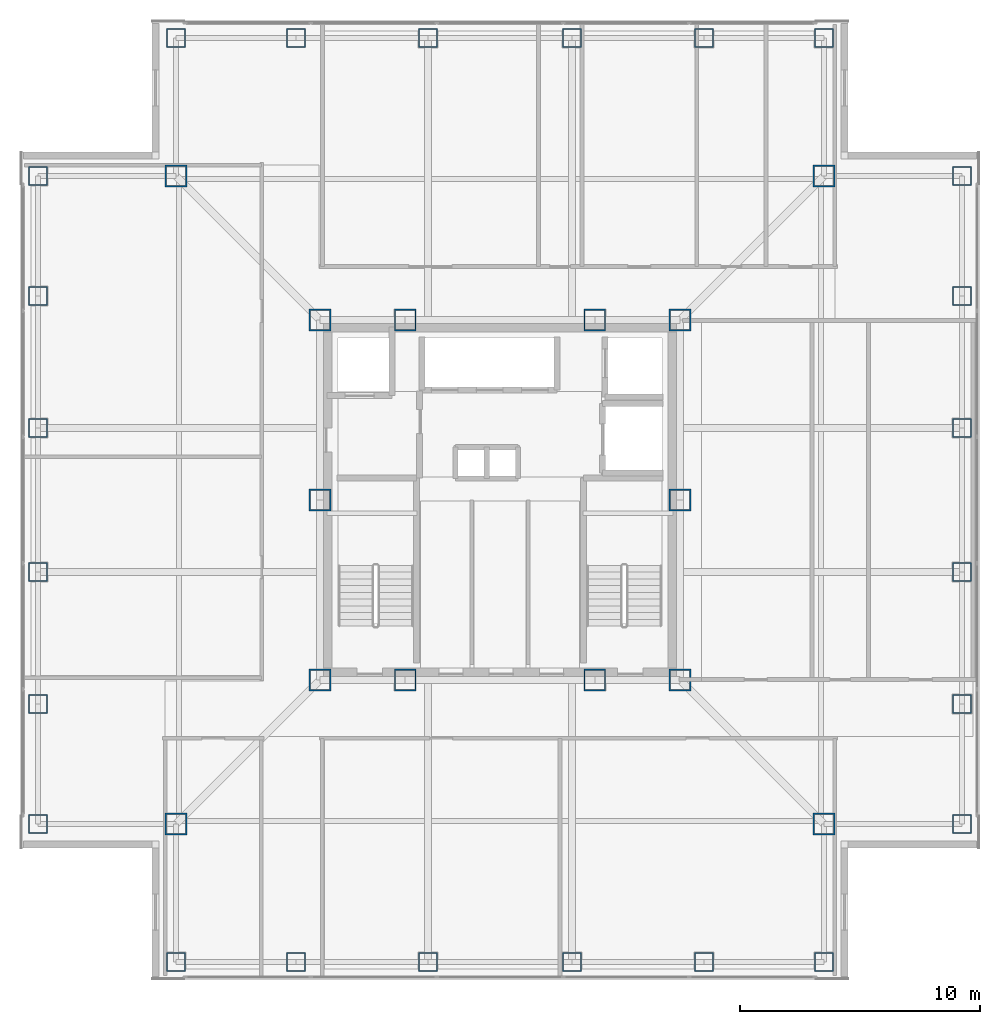
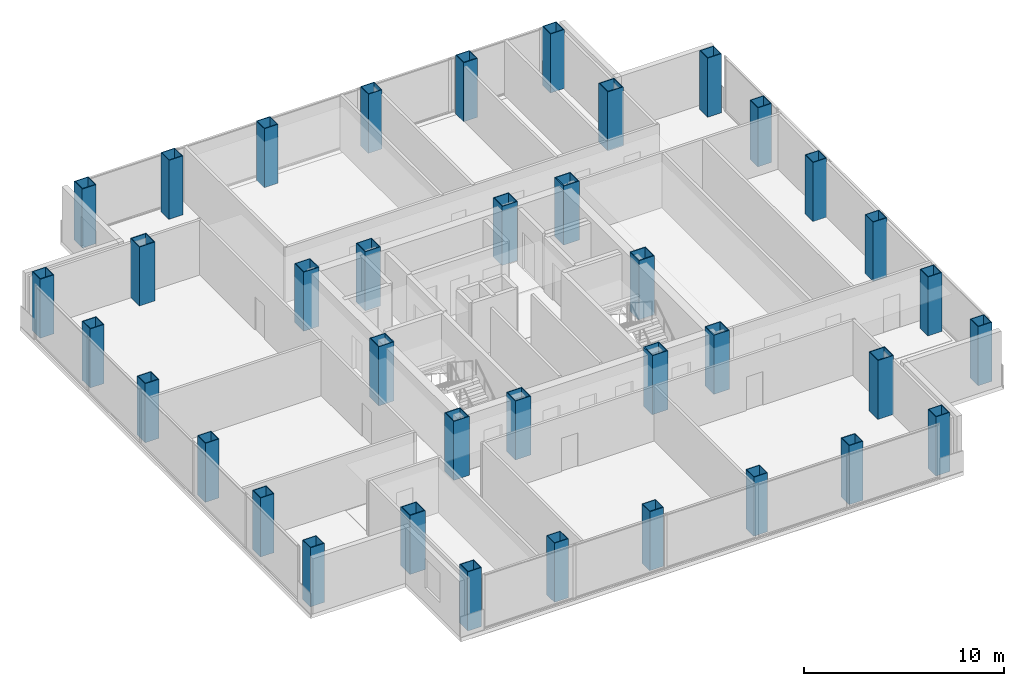
# One storey, part 1 of 18: 38 columns.
"""IFC4 building model written with IfcOpenShell, lengths in metres."""

from ifc_helpers import new_model, si_unit, direction, frame, origin, origin_2d, place, context, subcontext, project, spatial, hollow_rectangle, extrude, material, material_profile, profile_set, type_object, element, save


model = new_model("IFC4")

# Units and contexts
model_context = context("Model", 3, precision=1e-05, world=origin(), true_north=direction((0.0, 1.0)))
body_context = subcontext(model_context, "Body", "Model", "MODEL_VIEW")
ifc_project = project(units=[si_unit("LENGTHUNIT", "METRE"), si_unit("AREAUNIT", "SQUARE_METRE"), si_unit("VOLUMEUNIT", "CUBIC_METRE"), si_unit("PLANEANGLEUNIT", "RADIAN"), si_unit("MASSUNIT", "GRAM", prefix="KILO")], contexts=[model_context])

# Site, building, storey
site_placement = place(None, origin())
site = spatial("IfcSite", under=ifc_project, at=site_placement, CompositionType="ELEMENT")
building_placement = place(site_placement, origin())
building = spatial("IfcBuilding", under=site, at=building_placement, Name="Trevonay Congress Spire", CompositionType="ELEMENT")
storey_placement = place(building_placement, frame((0.0, 0.0, 220.199951171875)))
storey = spatial("IfcBuildingStorey", under=building, at=storey_placement, Name="L57", CompositionType="ELEMENT", Elevation=220.199951171875)

# Columns
ifc_material = material(Name="Steel ASTM A572 Grade 50", Category="steel")
ifc_material_profile_1 = material_profile(ifc_material, hollow_rectangle(XDim=0.89990234375, YDim=0.89990234375, WallThickness=0.044921875, at=origin_2d()), Name="BOX 900x900x45")
ifc_profile_set_1 = profile_set([ifc_material_profile_1], Name="Steel ASTM A572 Grade 50")
column_type_1 = type_object("IfcColumnType", Name="COL-CORE-BOX900", PredefinedType="COLUMN", material=ifc_profile_set_1)
for number, where, z_axis, x_axis, name in (
    (1, (-7.5, -7.5, 0.0), (0.0, 0.0, 1.0), (1.0, 0.0, 0.0), "L57 column C04 at CC-SW"),
    (2, (-3.949951171875, -7.5, 0.0), (0.0, 0.0, 1.0), (1.0, 0.0, 0.0), "L57 column C04 at CC-SMW"),
    (3, (3.949951171875, -7.5, 0.0), (0.0, 0.0, 1.0), (1.0, 0.0, 0.0), "L57 column C04 at CC-SME"),
    (4, (7.5, -7.5, 0.0), (0.0, 0.0, 1.0), (1.0, 0.0, 0.0), "L57 column C04 at CC-SE"),
    (5, (7.5, 0.0, 0.0), (0.0, 0.0, 1.0), (1.0, 0.0, 0.0), "L57 column C04 at CC-E"),
    (6, (7.5, 7.5, 0.0), (0.0, 0.0, 1.0), (1.0, 0.0, 0.0), "L57 column C04 at CC-NE"),
    (7, (3.949951171875, 7.5, 0.0), (0.0, 0.0, 1.0), (1.0, 0.0, 0.0), "L57 column C04 at CC-NME"),
    (8, (-3.949951171875, 7.5, 0.0), (0.0, 0.0, 1.0), (1.0, 0.0, 0.0), "L57 column C04 at CC-NMW"),
    (9, (-7.5, 7.5, 0.0), (0.0, 0.0, 1.0), (1.0, 0.0, 0.0), "L57 column C04 at CC-NW"),
    (10, (-7.5, 0.0, 0.0), (0.0, 0.0, 1.0), (1.0, 0.0, 0.0), "L57 column C04 at CC-W"),
):
    element("IfcColumn", number, at=place(storey_placement, frame(where, z_axis=z_axis, x_axis=x_axis)), inside=storey, type_object=column_type_1, Name=name, PredefinedType="COLUMN", context=body_context, shape_type="SweptSolid", body=[
        extrude(hollow_rectangle(XDim=0.89990234375, YDim=0.89990234375, WallThickness=0.044921875, at=origin_2d()), origin(), (0.0, 0.0, 1.0), 3.60009765625),
    ])
ifc_material_profile_2 = material_profile(ifc_material, hollow_rectangle(XDim=0.800048828125, YDim=0.800048828125, WallThickness=0.0400390625, at=origin_2d()), Name="BOX 800x800x40")
ifc_profile_set_2 = profile_set([ifc_material_profile_2], Name="Steel ASTM A572 Grade 50")
column_type_2 = type_object("IfcColumnType", Name="COL-TUBE-BOX800", PredefinedType="COLUMN", material=ifc_profile_set_2)
for number, where, z_axis, x_axis, name in (
    (11, (-13.5, -19.25, 0.0), (0.0, 0.0, 1.0), (1.0, 0.0, 0.0), "L57 column C16 at TS-1"),
    (12, (-13.5, 19.25, 0.0), (0.0, 0.0, 1.0), (1.0, 0.0, 0.0), "L57 column C16 at TN-1"),
    (13, (-19.25, -13.5, 0.0), (0.0, 0.0, 1.0), (1.0, 0.0, 0.0), "L57 column C16 at TW-1"),
    (14, (19.25, -13.5, 0.0), (0.0, 0.0, 1.0), (1.0, 0.0, 0.0), "L57 column C16 at TE-1"),
    (15, (-8.5, -19.25, 0.0), (0.0, 0.0, 1.0), (1.0, 0.0, 0.0), "L57 column C16 at TS-2"),
    (16, (-8.5, 19.25, 0.0), (0.0, 0.0, 1.0), (1.0, 0.0, 0.0), "L57 column C16 at TN-2"),
    (17, (-19.25, -8.5, 0.0), (0.0, 0.0, 1.0), (1.0, 0.0, 0.0), "L57 column C16 at TW-2"),
    (18, (19.25, -8.5, 0.0), (0.0, 0.0, 1.0), (1.0, 0.0, 0.0), "L57 column C16 at TE-2"),
    (19, (-3.0, -19.25, 0.0), (0.0, 0.0, 1.0), (1.0, 0.0, 0.0), "L57 column C16 at TS-3"),
    (20, (-3.0, 19.25, 0.0), (0.0, 0.0, 1.0), (1.0, 0.0, 0.0), "L57 column C16 at TN-3"),
    (21, (-19.25, -3.0, 0.0), (0.0, 0.0, 1.0), (1.0, 0.0, 0.0), "L57 column C16 at TW-3"),
    (22, (19.25, -3.0, 0.0), (0.0, 0.0, 1.0), (1.0, 0.0, 0.0), "L57 column C16 at TE-3"),
    (23, (3.0, -19.25, 0.0), (0.0, 0.0, 1.0), (1.0, 0.0, 0.0), "L57 column C16 at TS-4"),
    (24, (3.0, 19.25, 0.0), (0.0, 0.0, 1.0), (1.0, 0.0, 0.0), "L57 column C16 at TN-4"),
    (25, (-19.25, 3.0, 0.0), (0.0, 0.0, 1.0), (1.0, 0.0, 0.0), "L57 column C16 at TW-4"),
    (26, (19.25, 3.0, 0.0), (0.0, 0.0, 1.0), (1.0, 0.0, 0.0), "L57 column C16 at TE-4"),
    (27, (8.5, -19.25, 0.0), (0.0, 0.0, 1.0), (1.0, 0.0, 0.0), "L57 column C16 at TS-5"),
    (28, (8.5, 19.25, 0.0), (0.0, 0.0, 1.0), (1.0, 0.0, 0.0), "L57 column C16 at TN-5"),
    (29, (-19.25, 8.5, 0.0), (0.0, 0.0, 1.0), (1.0, 0.0, 0.0), "L57 column C16 at TW-5"),
    (30, (19.25, 8.5, 0.0), (0.0, 0.0, 1.0), (1.0, 0.0, 0.0), "L57 column C16 at TE-5"),
    (31, (13.5, -19.25, 0.0), (0.0, 0.0, 1.0), (1.0, 0.0, 0.0), "L57 column C16 at TS-6"),
    (32, (13.5, 19.25, 0.0), (0.0, 0.0, 1.0), (1.0, 0.0, 0.0), "L57 column C16 at TN-6"),
    (33, (-19.25, 13.5, 0.0), (0.0, 0.0, 1.0), (1.0, 0.0, 0.0), "L57 column C16 at TW-6"),
    (34, (19.25, 13.5, 0.0), (0.0, 0.0, 1.0), (1.0, 0.0, 0.0), "L57 column C16 at TE-6"),
):
    element("IfcColumn", number, at=place(storey_placement, frame(where, z_axis=z_axis, x_axis=x_axis)), inside=storey, type_object=column_type_2, Name=name, PredefinedType="COLUMN", context=body_context, shape_type="SweptSolid", body=[
        extrude(hollow_rectangle(XDim=0.800048828125, YDim=0.800048828125, WallThickness=0.0400390625, at=origin_2d()), origin(), (0.0, 0.0, 1.0), 3.60009765625),
    ])
ifc_material_profile_3 = material_profile(ifc_material, hollow_rectangle(XDim=0.89990234375, YDim=0.89990234375, WallThickness=0.044921875, at=origin_2d()), Name="BOX 900x900x45")
ifc_profile_set_3 = profile_set([ifc_material_profile_3], Name="Steel ASTM A572 Grade 50")
column_type_3 = type_object("IfcColumnType", Name="COL-TUBE-BOX900", PredefinedType="COLUMN", material=ifc_profile_set_3)
for number, where, z_axis, x_axis, name in (
    (35, (-13.5, -13.5, 0.0), (0.0, 0.0, 1.0), (1.0, 0.0, 0.0), "L57 column C15 at NC-SW"),
    (36, (13.5, -13.5, 0.0), (0.0, 0.0, 1.0), (1.0, 0.0, 0.0), "L57 column C15 at NC-SE"),
    (37, (13.5, 13.5, 0.0), (0.0, 0.0, 1.0), (1.0, 0.0, 0.0), "L57 column C15 at NC-NE"),
    (38, (-13.5, 13.5, 0.0), (0.0, 0.0, 1.0), (1.0, 0.0, 0.0), "L57 column C15 at NC-NW"),
):
    element("IfcColumn", number, at=place(storey_placement, frame(where, z_axis=z_axis, x_axis=x_axis)), inside=storey, type_object=column_type_3, Name=name, PredefinedType="COLUMN", context=body_context, shape_type="SweptSolid", body=[
        extrude(hollow_rectangle(XDim=0.89990234375, YDim=0.89990234375, WallThickness=0.044921875, at=origin_2d()), origin(), (0.0, 0.0, 1.0), 3.60009765625),
    ])

save(model, "model.ifc")
